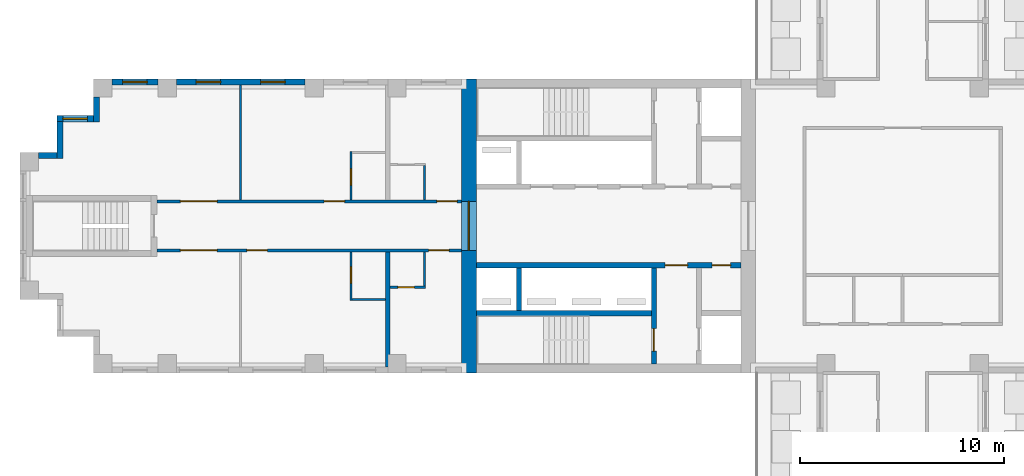
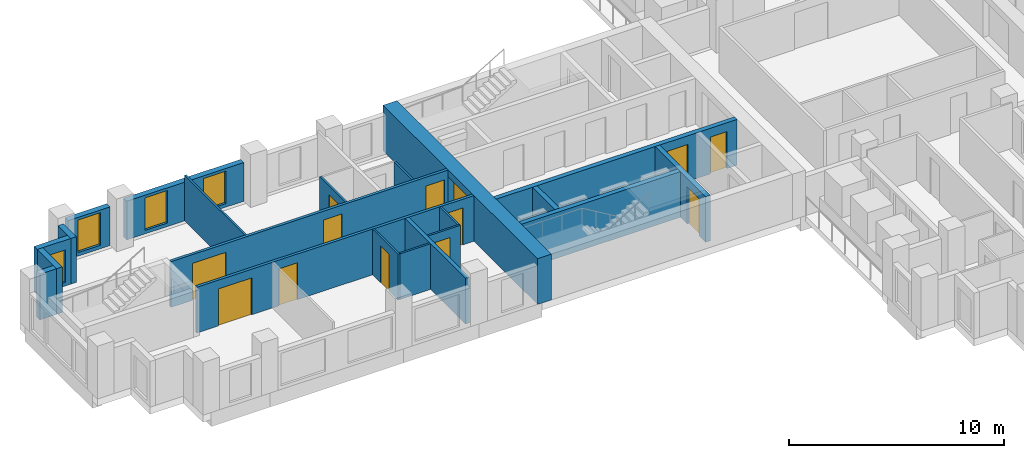
# One storey, part 3 of 11: 21 walls, 13 doors, 4 windows, 17 openings.
"""IFC4 building model written with IfcOpenShell, lengths in metres."""

from ifc_helpers import new_model, si_unit, direction, frame, frame_2d, origin, place, context, subcontext, project, spatial, rectangle, extrude, material, layer, layer_set, type_object, element, fill, save


model = new_model("IFC4")

# Units and contexts
model_context = context("Model", 3, precision=1e-05, world=origin(), true_north=direction((0.0, 1.0)))
body_context = subcontext(model_context, "Body", "Model", "MODEL_VIEW")
ifc_project = project(units=[si_unit("LENGTHUNIT", "METRE"), si_unit("AREAUNIT", "SQUARE_METRE"), si_unit("VOLUMEUNIT", "CUBIC_METRE"), si_unit("PLANEANGLEUNIT", "RADIAN"), si_unit("MASSUNIT", "GRAM", prefix="KILO")], contexts=[model_context])

# Site, building, storey
site_placement = place(None, origin())
site = spatial("IfcSite", under=ifc_project, at=site_placement, CompositionType="ELEMENT")
building_placement = place(site_placement, origin())
building = spatial("IfcBuilding", under=site, at=building_placement, Name="Fustian Cross Tower", CompositionType="ELEMENT")
storey_placement = place(building_placement, frame((0.0, 0.0, 120.300048828125)))
storey = spatial("IfcBuildingStorey", under=building, at=storey_placement, Name="L37", CompositionType="ELEMENT", Elevation=120.300048828125)

# Wall, openings, doors
ifc_material_1 = material(Name="Plasterboard on steel stud", Category="steel")
ifc_layer_1 = layer(ifc_material_1, 0.14990234375)
ifc_layer_set_1 = layer_set([ifc_layer_1], Name="Plasterboard on steel stud")
wall_type_1 = type_object("IfcWallType", Name="COMPARTMENT WALL 150 EI 60", PredefinedType="PARTITIONING", material=ifc_layer_set_1)
wall_1_placement = place(storey_placement, frame((-36.5, -1.199951171875, 0.0), z_axis=(0.0, 0.0, 1.0), x_axis=(1.0, 0.0, 0.0)))
wall_1 = element("IfcWall", 1, at=wall_1_placement, inside=storey, type_object=wall_type_1, Name="Partition 1", PredefinedType="PARTITIONING", context=body_context, shape_type="SweptSolid", body=[
    extrude(rectangle(XDim=14.89990234375, YDim=0.14990234375, at=frame_2d((7.449951171875, 0.0))), origin(), (0.0, 0.0, 1.0), 2.599853515625),
])
opening_1_placement = place(wall_1_placement, frame((13.300048828125, 0.0, 0.0)))
opening_1 = element("IfcOpeningElement", 2, at=opening_1_placement, cuts=wall_1, Name="Opening D18024", PredefinedType="OPENING", context=body_context, shape_type="SweptSolid", body=[
    extrude(rectangle(XDim=1.0, YDim=2.10009765625, at=frame_2d((0.5, 1.050048828125))), frame((0.0, 0.0849609375, 0.0), z_axis=(0.0, -1.0, 0.0), x_axis=(1.0, 0.0, 0.0)), (0.0, 0.0, 1.0), 0.169921875),
])
opening_2_placement = place(wall_1_placement, frame((4.409912109375, 0.0, 0.0)))
opening_2 = element("IfcOpeningElement", 3, at=opening_2_placement, cuts=wall_1, Name="Opening D18026", PredefinedType="OPENING", context=body_context, shape_type="SweptSolid", body=[
    extrude(rectangle(XDim=1.0, YDim=2.10009765625, at=frame_2d((0.5, 1.050048828125))), frame((0.0, 0.0849609375, 0.0), z_axis=(0.0, -1.0, 0.0), x_axis=(1.0, 0.0, 0.0)), (0.0, 0.0, 1.0), 0.169921875),
])
opening_3_placement = place(wall_1_placement, frame((1.14990234375, 0.0, 0.0)))
opening_3 = element("IfcOpeningElement", 4, at=opening_3_placement, cuts=wall_1, Name="Opening D18027", PredefinedType="OPENING", context=body_context, shape_type="SweptSolid", body=[
    extrude(rectangle(XDim=1.800048828125, YDim=2.10009765625, at=frame_2d((0.89990234375, 1.050048828125))), frame((0.0, 0.0849609375, 0.0), z_axis=(0.0, -1.0, 0.0), x_axis=(1.0, 0.0, 0.0)), (0.0, 0.0, 1.0), 0.169921875),
])
ifc_material_2 = material(Name="Timber fire door set", Category="wood")
door_type_1 = type_object("IfcDoorType", Name="FIRE DOUBLE DOOR 1800 FD30S", OperationType="DOUBLE_DOOR_DOUBLE_SWING", PredefinedType="DOOR", material=ifc_material_2)
door_1_placement = place(opening_3_placement, origin())
door_1 = element("IfcDoor", 5, at=door_1_placement, inside=storey, type_object=door_type_1, Name="Door D18027", OperationType="DOUBLE_DOOR_DOUBLE_SWING", OverallHeight=2.10009765625, OverallWidth=1.800048828125, PredefinedType="DOOR", context=body_context, shape_type="SweptSolid", body=[
    extrude(rectangle(XDim=1.800048828125, YDim=2.10009765625, at=frame_2d((0.89990234375, 1.050048828125))), frame((0.0, 0.02490234375, 0.0), z_axis=(0.0, -1.0, 0.0), x_axis=(1.0, 0.0, 0.0)), (0.0, 0.0, 1.0), 0.050048828125),
])
fill(opening_3, door_1)
ifc_material_3 = material(Name="Timber fire door set", Category="wood")
door_type_2 = type_object("IfcDoorType", Name="FIRE SWING DOOR 1000 FD30S", OperationType="SINGLE_SWING_LEFT", PredefinedType="DOOR", material=ifc_material_3)
door_2_placement = place(opening_1_placement, frame((1.0, 0.0, 0.0), z_axis=(0.0, 0.0, 1.0), x_axis=(-1.0, 0.0, 0.0)))
door_2 = element("IfcDoor", 6, at=door_2_placement, inside=storey, type_object=door_type_2, Name="Door D18024", OperationType="SINGLE_SWING_RIGHT", OverallHeight=2.10009765625, OverallWidth=1.0, PredefinedType="DOOR", context=body_context, shape_type="SweptSolid", body=[
    extrude(rectangle(XDim=1.0, YDim=2.10009765625, at=frame_2d((0.5, 1.050048828125))), frame((0.0, 0.02490234375, 0.0), z_axis=(0.0, -1.0, 0.0), x_axis=(1.0, 0.0, 0.0)), (0.0, 0.0, 1.0), 0.050048828125),
])
fill(opening_1, door_2)
door_3_placement = place(opening_2_placement, frame((1.0, 0.0, 0.0), z_axis=(0.0, 0.0, 1.0), x_axis=(-1.0, 0.0, 0.0)))
door_3 = element("IfcDoor", 7, at=door_3_placement, inside=storey, type_object=door_type_2, Name="Door D18026", OperationType="SINGLE_SWING_RIGHT", OverallHeight=2.10009765625, OverallWidth=1.0, PredefinedType="DOOR", context=body_context, shape_type="SweptSolid", body=[
    extrude(rectangle(XDim=1.0, YDim=2.10009765625, at=frame_2d((0.5, 1.050048828125))), frame((0.0, 0.02490234375, 0.0), z_axis=(0.0, -1.0, 0.0), x_axis=(1.0, 0.0, 0.0)), (0.0, 0.0, 1.0), 0.050048828125),
])
fill(opening_2, door_3)

wall_2_placement = place(storey_placement, frame((-36.5, 1.199951171875, 0.0), z_axis=(0.0, 0.0, 1.0), x_axis=(1.0, 0.0, 0.0)))
wall_2 = element("IfcWall", 8, at=wall_2_placement, inside=storey, type_object=wall_type_1, Name="Partition 2", PredefinedType="PARTITIONING", context=body_context, shape_type="SweptSolid", body=[
    extrude(rectangle(XDim=14.89990234375, YDim=0.14990234375, at=frame_2d((7.449951171875, 0.0))), origin(), (0.0, 0.0, 1.0), 2.599853515625),
])
opening_4_placement = place(wall_2_placement, frame((13.699951171875, 0.0, 0.0)))
opening_4 = element("IfcOpeningElement", 9, at=opening_4_placement, cuts=wall_2, Name="Opening D18029", PredefinedType="OPENING", context=body_context, shape_type="SweptSolid", body=[
    extrude(rectangle(XDim=1.0, YDim=2.10009765625, at=frame_2d((0.5, 1.050048828125))), frame((0.0, 0.0849609375, 0.0), z_axis=(0.0, -1.0, 0.0), x_axis=(1.0, 0.0, 0.0)), (0.0, 0.0, 1.0), 0.169921875),
])
opening_5_placement = place(wall_2_placement, frame((8.18994140625, 0.0, 0.0)))
opening_5 = element("IfcOpeningElement", 10, at=opening_5_placement, cuts=wall_2, Name="Opening D18031", PredefinedType="OPENING", context=body_context, shape_type="SweptSolid", body=[
    extrude(rectangle(XDim=1.0, YDim=2.10009765625, at=frame_2d((0.5, 1.050048828125))), frame((0.0, 0.0849609375, 0.0), z_axis=(0.0, -1.0, 0.0), x_axis=(1.0, 0.0, 0.0)), (0.0, 0.0, 1.0), 0.169921875),
])
opening_6_placement = place(wall_2_placement, frame((1.14990234375, 0.0, 0.0)))
opening_6 = element("IfcOpeningElement", 11, at=opening_6_placement, cuts=wall_2, Name="Opening D18032", PredefinedType="OPENING", context=body_context, shape_type="SweptSolid", body=[
    extrude(rectangle(XDim=1.800048828125, YDim=2.10009765625, at=frame_2d((0.89990234375, 1.050048828125))), frame((0.0, 0.0849609375, 0.0), z_axis=(0.0, -1.0, 0.0), x_axis=(1.0, 0.0, 0.0)), (0.0, 0.0, 1.0), 0.169921875),
])
door_4_placement = place(opening_6_placement, frame((1.800048828125, 0.0, 0.0), z_axis=(0.0, 0.0, 1.0), x_axis=(-1.0, 0.0, 0.0)))
door_4 = element("IfcDoor", 12, at=door_4_placement, inside=storey, type_object=door_type_1, Name="Door D18032", OperationType="DOUBLE_DOOR_DOUBLE_SWING", OverallHeight=2.10009765625, OverallWidth=1.800048828125, PredefinedType="DOOR", context=body_context, shape_type="SweptSolid", body=[
    extrude(rectangle(XDim=1.800048828125, YDim=2.10009765625, at=frame_2d((0.89990234375, 1.050048828125))), frame((0.0, 0.02490234375, 0.0), z_axis=(0.0, -1.0, 0.0), x_axis=(1.0, 0.0, 0.0)), (0.0, 0.0, 1.0), 0.050048828125),
])
fill(opening_6, door_4)
door_5_placement = place(opening_4_placement, origin())
door_5 = element("IfcDoor", 13, at=door_5_placement, inside=storey, type_object=door_type_2, Name="Door D18029", OperationType="SINGLE_SWING_RIGHT", OverallHeight=2.10009765625, OverallWidth=1.0, PredefinedType="DOOR", context=body_context, shape_type="SweptSolid", body=[
    extrude(rectangle(XDim=1.0, YDim=2.10009765625, at=frame_2d((0.5, 1.050048828125))), frame((0.0, 0.02490234375, 0.0), z_axis=(0.0, -1.0, 0.0), x_axis=(1.0, 0.0, 0.0)), (0.0, 0.0, 1.0), 0.050048828125),
])
fill(opening_4, door_5)
door_6_placement = place(opening_5_placement, origin())
door_6 = element("IfcDoor", 14, at=door_6_placement, inside=storey, type_object=door_type_2, Name="Door D18031", OperationType="SINGLE_SWING_RIGHT", OverallHeight=2.10009765625, OverallWidth=1.0, PredefinedType="DOOR", context=body_context, shape_type="SweptSolid", body=[
    extrude(rectangle(XDim=1.0, YDim=2.10009765625, at=frame_2d((0.5, 1.050048828125))), frame((0.0, 0.02490234375, 0.0), z_axis=(0.0, -1.0, 0.0), x_axis=(1.0, 0.0, 0.0)), (0.0, 0.0, 1.0), 0.050048828125),
])
fill(opening_5, door_6)

# Wall, opening, door
ifc_material_4 = material(Name="Concrete C60/75", Category="concrete")
ifc_layer_2 = layer(ifc_material_4, 0.75)
ifc_layer_set_2 = layer_set([ifc_layer_2], Name="Concrete C60/75")
wall_type_2 = type_object("IfcWallType", Name="CORE END WALL 750 C60/75", PredefinedType="SHEAR", material=ifc_layer_set_2)
wall_3_placement = place(storey_placement, frame((-21.22509765625, -7.199951171875, 0.0), z_axis=(0.0, 0.0, 1.0), x_axis=(0.0, 1.0, 0.0)))
wall_3 = element("IfcWall", 15, at=wall_3_placement, inside=storey, type_object=wall_type_2, Name="Core end wall", PredefinedType="SHEAR", context=body_context, shape_type="SweptSolid", body=[
    extrude(rectangle(XDim=14.39990234375, YDim=0.75, at=frame_2d((7.199951171875, 0.0))), origin(), (0.0, 0.0, 1.0), 2.599853515625),
])
opening_7_placement = place(wall_3_placement, frame((6.0, 0.0, 0.0)))
opening_7 = element("IfcOpeningElement", 16, at=opening_7_placement, cuts=wall_3, Name="Opening CD-15-26", PredefinedType="OPENING", context=body_context, shape_type="SweptSolid", body=[
    extrude(rectangle(XDim=2.39990234375, YDim=2.199951171875, at=frame_2d((1.199951171875, 1.10009765625))), frame((0.0, 0.385009765625, 0.0), z_axis=(0.0, -1.0, 0.0), x_axis=(1.0, 0.0, 0.0)), (0.0, 0.0, 1.0), 0.77001953125),
])
ifc_material_5 = material(Name="Steel", Category="steel")
door_type_3 = type_object("IfcDoorType", Name="FIRE DOOR FD30S DOUBLE 2400X2200", OperationType="DOUBLE_DOOR_DOUBLE_SWING", PredefinedType="DOOR", material=ifc_material_5)
door_7_placement = place(opening_7_placement, frame((2.39990234375, 0.0, 0.0), z_axis=(0.0, 0.0, 1.0), x_axis=(-1.0, 0.0, 0.0)))
door_7 = element("IfcDoor", 17, at=door_7_placement, inside=storey, type_object=door_type_3, Name="Core door CD-15-26", OperationType="DOUBLE_DOOR_DOUBLE_SWING", OverallHeight=2.199951171875, OverallWidth=2.39990234375, PredefinedType="DOOR", context=body_context, shape_type="SweptSolid", body=[
    extrude(rectangle(XDim=2.39990234375, YDim=2.199951171875, at=frame_2d((1.199951171875, 1.10009765625))), frame((0.0, 0.02490234375, 0.0), z_axis=(0.0, -1.0, 0.0), x_axis=(1.0, 0.0, 0.0)), (0.0, 0.0, 1.0), 0.050048828125),
])
fill(opening_7, door_7)

# Wall, openings, doors
ifc_material_6 = material(Name="Concrete C50/60", Category="concrete")
ifc_layer_3 = layer(ifc_material_6, 0.25)
ifc_layer_set_3 = layer_set([ifc_layer_3], Name="Concrete C50/60")
wall_type_3 = type_object("IfcWallType", Name="CORE LOBBY WALL 250 C50/60", PredefinedType="SHEAR", material=ifc_layer_set_3)
wall_4_placement = place(storey_placement, frame((-7.89990234375, -1.925048828125, 0.0), z_axis=(0.0, 0.0, 1.0), x_axis=(-1.0, 0.0, 0.0)))
wall_4 = element("IfcWall", 18, at=wall_4_placement, inside=storey, type_object=wall_type_3, Name="Core lobby wall", PredefinedType="SHEAR", context=body_context, shape_type="SweptSolid", body=[
    extrude(rectangle(XDim=12.9501953125, YDim=0.25, at=frame_2d((6.47509765625, 0.0))), origin(), (0.0, 0.0, 1.0), 2.599853515625),
])
opening_8_placement = place(wall_4_placement, frame((0.52490234375, 0.0, 0.0)))
opening_8 = element("IfcOpeningElement", 19, at=opening_8_placement, cuts=wall_4, Name="Opening CD-15-22", PredefinedType="OPENING", context=body_context, shape_type="SweptSolid", body=[
    extrude(rectangle(XDim=0.89990234375, YDim=2.10009765625, at=frame_2d((0.449951171875, 1.050048828125))), frame((0.0, 0.135009765625, 0.0), z_axis=(0.0, -1.0, 0.0), x_axis=(1.0, 0.0, 0.0)), (0.0, 0.0, 1.0), 0.27001953125),
])
opening_9_placement = place(wall_4_placement, frame((2.625, 0.0, 0.0)))
opening_9 = element("IfcOpeningElement", 20, at=opening_9_placement, cuts=wall_4, Name="Opening CD-15-24", PredefinedType="OPENING", context=body_context, shape_type="SweptSolid", body=[
    extrude(rectangle(XDim=1.10009765625, YDim=2.10009765625, at=frame_2d((0.550048828125, 1.050048828125))), frame((0.0, 0.135009765625, 0.0), z_axis=(0.0, -1.0, 0.0), x_axis=(1.0, 0.0, 0.0)), (0.0, 0.0, 1.0), 0.27001953125),
])
ifc_material_7 = material(Name="Steel", Category="steel")
door_type_4 = type_object("IfcDoorType", Name="FIRE DOOR FD30S 1100X2100", OperationType="SINGLE_SWING_LEFT", PredefinedType="DOOR", material=ifc_material_7)
door_8_placement = place(opening_9_placement, frame((1.10009765625, 0.0, 0.0), z_axis=(0.0, 0.0, 1.0), x_axis=(-1.0, 0.0, 0.0)))
door_8 = element("IfcDoor", 21, at=door_8_placement, inside=storey, type_object=door_type_4, Name="Core door CD-15-24", OperationType="SINGLE_SWING_RIGHT", OverallHeight=2.10009765625, OverallWidth=1.10009765625, PredefinedType="DOOR", context=body_context, shape_type="SweptSolid", body=[
    extrude(rectangle(XDim=1.10009765625, YDim=2.10009765625, at=frame_2d((0.550048828125, 1.050048828125))), frame((0.0, 0.02490234375, 0.0), z_axis=(0.0, -1.0, 0.0), x_axis=(1.0, 0.0, 0.0)), (0.0, 0.0, 1.0), 0.050048828125),
])
fill(opening_9, door_8)
ifc_material_8 = material(Name="Steel", Category="steel")
door_type_5 = type_object("IfcDoorType", Name="FIRE DOOR FD30S 900X2100", OperationType="SINGLE_SWING_LEFT", PredefinedType="DOOR", material=ifc_material_8)
door_9_placement = place(opening_8_placement, origin())
door_9 = element("IfcDoor", 22, at=door_9_placement, inside=storey, type_object=door_type_5, Name="Core door CD-15-22", OperationType="SINGLE_SWING_LEFT", OverallHeight=2.10009765625, OverallWidth=0.89990234375, PredefinedType="DOOR", context=body_context, shape_type="SweptSolid", body=[
    extrude(rectangle(XDim=0.89990234375, YDim=2.10009765625, at=frame_2d((0.449951171875, 1.050048828125))), frame((0.0, 0.02490234375, 0.0), z_axis=(0.0, -1.0, 0.0), x_axis=(1.0, 0.0, 0.0)), (0.0, 0.0, 1.0), 0.050048828125),
])
fill(opening_8, door_9)

# Wall
ifc_material_9 = material(Name="Concrete C50/60", Category="concrete")
ifc_layer_4 = layer(ifc_material_9, 0.25)
ifc_layer_set_4 = layer_set([ifc_layer_4], Name="Concrete C50/60")
wall_type_4 = type_object("IfcWallType", Name="CORE SHAFT WALL 250 C50/60", PredefinedType="SHEAR", material=ifc_layer_set_4)
wall_5_placement = place(storey_placement, frame((-12.300048828125, -4.27490234375, 0.0), z_axis=(0.0, 0.0, 1.0), x_axis=(-1.0, 0.0, 0.0)))
element("IfcWall", 23, at=wall_5_placement, inside=storey, type_object=wall_type_4, Name="Core shaft wall", PredefinedType="SHEAR", context=body_context, shape_type="SweptSolid", body=[
    extrude(rectangle(XDim=8.550048828125, YDim=0.25, at=frame_2d((4.27490234375, 0.0))), origin(), (0.0, 0.0, 1.0), 2.599853515625),
])

# Wall, opening, door
wall_6_placement = place(storey_placement, frame((-12.175048828125, -2.050048828125, 0.0), z_axis=(0.0, 0.0, 1.0), x_axis=(0.0, -1.0, 0.0)))
wall_6 = element("IfcWall", 24, at=wall_6_placement, inside=storey, type_object=wall_type_4, Name="Core shaft wall", PredefinedType="SHEAR", context=body_context, shape_type="SweptSolid", body=[
    extrude(rectangle(XDim=4.699951171875, YDim=0.25, at=frame_2d((2.35009765625, 0.0))), origin(), (0.0, 0.0, 1.0), 2.599853515625),
])
opening_10_placement = place(wall_6_placement, frame((2.97509765625, 0.0, 0.0)))
opening_10 = element("IfcOpeningElement", 25, at=opening_10_placement, cuts=wall_6, Name="Opening CD-15-20", PredefinedType="OPENING", context=body_context, shape_type="SweptSolid", body=[
    extrude(rectangle(XDim=1.10009765625, YDim=2.10009765625, at=frame_2d((0.550048828125, 1.050048828125))), frame((0.0, 0.135009765625, 0.0), z_axis=(0.0, -1.0, 0.0), x_axis=(1.0, 0.0, 0.0)), (0.0, 0.0, 1.0), 0.27001953125),
])
ifc_material_10 = material(Name="Steel", Category="steel")
door_type_6 = type_object("IfcDoorType", Name="FIRE DOOR FD60S 1100X2100", OperationType="SINGLE_SWING_LEFT", PredefinedType="DOOR", material=ifc_material_10)
door_10_placement = place(opening_10_placement, frame((1.10009765625, 0.0, 0.0), z_axis=(0.0, 0.0, 1.0), x_axis=(-1.0, 0.0, 0.0)))
door_10 = element("IfcDoor", 26, at=door_10_placement, inside=storey, type_object=door_type_6, Name="Core door CD-15-20", OperationType="SINGLE_SWING_RIGHT", OverallHeight=2.10009765625, OverallWidth=1.10009765625, PredefinedType="DOOR", context=body_context, shape_type="SweptSolid", body=[
    extrude(rectangle(XDim=1.10009765625, YDim=2.10009765625, at=frame_2d((0.550048828125, 1.050048828125))), frame((0.0, 0.02490234375, 0.0), z_axis=(0.0, -1.0, 0.0), x_axis=(1.0, 0.0, 0.0)), (0.0, 0.0, 1.0), 0.050048828125),
])
fill(opening_10, door_10)

# Wall
ifc_material_11 = material(Name="Plasterboard on steel stud", Category="steel")
ifc_layer_5 = layer(ifc_material_11, 0.10009765625)
ifc_layer_set_5 = layer_set([ifc_layer_5], Name="Plasterboard on steel stud")
wall_type_5 = type_object("IfcWallType", Name="PARTITION 100 STUD", PredefinedType="PARTITIONING", material=ifc_layer_set_5)
wall_7_placement = place(storey_placement, frame((-32.39990234375, 1.27490234375, 0.0), z_axis=(0.0, 0.0, 1.0), x_axis=(0.0, 1.0, 0.0)))
element("IfcWall", 27, at=wall_7_placement, inside=storey, type_object=wall_type_5, Name="Partition 4", PredefinedType="PARTITIONING", context=body_context, shape_type="SweptSolid", body=[
    extrude(rectangle(XDim=5.625, YDim=0.10009765625, at=frame_2d((2.8125, 0.0))), origin(), (0.0, 0.0, 1.0), 2.599853515625),
])

# Wall, opening, door
wall_8_placement = place(storey_placement, frame((-27.0, -3.64990234375, 0.0), z_axis=(0.0, 0.0, 1.0), x_axis=(0.0, 1.0, 0.0)))
wall_8 = element("IfcWall", 28, at=wall_8_placement, inside=storey, type_object=wall_type_5, Name="Partition 5", PredefinedType="PARTITIONING", context=body_context, shape_type="SweptSolid", body=[
    extrude(rectangle(XDim=2.375, YDim=0.10009765625, at=frame_2d((1.1875, 0.0))), origin(), (0.0, 0.0, 1.0), 2.599853515625),
])
opening_11_placement = place(wall_8_placement, frame((0.85009765625, 0.0, 0.0)))
opening_11 = element("IfcOpeningElement", 29, at=opening_11_placement, cuts=wall_8, Name="Opening D18025", PredefinedType="OPENING", context=body_context, shape_type="SweptSolid", body=[
    extrude(rectangle(XDim=0.800048828125, YDim=2.10009765625, at=frame_2d((0.39990234375, 1.050048828125))), frame((0.0, 0.06005859375, 0.0), z_axis=(0.0, -1.0, 0.0), x_axis=(1.0, 0.0, 0.0)), (0.0, 0.0, 1.0), 0.1201171875),
])
ifc_material_12 = material(Name="Painted timber", Category="wood")
door_type_7 = type_object("IfcDoorType", Name="SWING DOOR 800", OperationType="SINGLE_SWING_LEFT", PredefinedType="DOOR", material=ifc_material_12)
door_11_placement = place(opening_11_placement, frame((0.800048828125, 0.0, 0.0), z_axis=(0.0, 0.0, 1.0), x_axis=(-1.0, 0.0, 0.0)))
door_11 = element("IfcDoor", 30, at=door_11_placement, inside=storey, type_object=door_type_7, Name="Door D18025", OperationType="SINGLE_SWING_RIGHT", OverallHeight=2.10009765625, OverallWidth=0.800048828125, PredefinedType="DOOR", context=body_context, shape_type="SweptSolid", body=[
    extrude(rectangle(XDim=0.800048828125, YDim=2.10009765625, at=frame_2d((0.39990234375, 1.050048828125))), frame((0.0, 0.02490234375, 0.0), z_axis=(0.0, -1.0, 0.0), x_axis=(1.0, 0.0, 0.0)), (0.0, 0.0, 1.0), 0.050048828125),
])
fill(opening_11, door_11)

# Wall
wall_9_placement = place(storey_placement, frame((-26.949951171875, -3.60009765625, 0.0), z_axis=(0.0, 0.0, 1.0), x_axis=(1.0, 0.0, 0.0)))
element("IfcWall", 31, at=wall_9_placement, inside=storey, type_object=wall_type_5, Name="Partition 6", PredefinedType="PARTITIONING", context=body_context, shape_type="SweptSolid", body=[
    extrude(rectangle(XDim=1.64990234375, YDim=0.10009765625, at=frame_2d((0.824951171875, 0.0))), origin(), (0.0, 0.0, 1.0), 2.599853515625),
])

# Wall, opening, door
wall_10_placement = place(storey_placement, frame((-27.0, 1.27490234375, 0.0), z_axis=(0.0, 0.0, 1.0), x_axis=(0.0, 1.0, 0.0)))
wall_10 = element("IfcWall", 32, at=wall_10_placement, inside=storey, type_object=wall_type_5, Name="Partition 7", PredefinedType="PARTITIONING", context=body_context, shape_type="SweptSolid", body=[
    extrude(rectangle(XDim=2.375, YDim=0.10009765625, at=frame_2d((1.1875, 0.0))), origin(), (0.0, 0.0, 1.0), 2.599853515625),
])
opening_12_placement = place(wall_10_placement, frame((0.72509765625, 0.0, 0.0)))
opening_12 = element("IfcOpeningElement", 33, at=opening_12_placement, cuts=wall_10, Name="Opening D18030", PredefinedType="OPENING", context=body_context, shape_type="SweptSolid", body=[
    extrude(rectangle(XDim=0.800048828125, YDim=2.10009765625, at=frame_2d((0.39990234375, 1.050048828125))), frame((0.0, 0.06005859375, 0.0), z_axis=(0.0, -1.0, 0.0), x_axis=(1.0, 0.0, 0.0)), (0.0, 0.0, 1.0), 0.1201171875),
])
door_12_placement = place(opening_12_placement, frame((0.800048828125, 0.0, 0.0), z_axis=(0.0, 0.0, 1.0), x_axis=(-1.0, 0.0, 0.0)))
door_12 = element("IfcDoor", 34, at=door_12_placement, inside=storey, type_object=door_type_7, Name="Door D18030", OperationType="SINGLE_SWING_RIGHT", OverallHeight=2.10009765625, OverallWidth=0.800048828125, PredefinedType="DOOR", context=body_context, shape_type="SweptSolid", body=[
    extrude(rectangle(XDim=0.800048828125, YDim=2.10009765625, at=frame_2d((0.39990234375, 1.050048828125))), frame((0.0, 0.02490234375, 0.0), z_axis=(0.0, -1.0, 0.0), x_axis=(1.0, 0.0, 0.0)), (0.0, 0.0, 1.0), 0.050048828125),
])
fill(opening_12, door_12)

wall_11_placement = place(storey_placement, frame((-25.10009765625, -3.0, 0.0), z_axis=(0.0, 0.0, 1.0), x_axis=(1.0, 0.0, 0.0)))
wall_11 = element("IfcWall", 35, at=wall_11_placement, inside=storey, type_object=wall_type_5, Name="Partition 10", PredefinedType="PARTITIONING", context=body_context, shape_type="SweptSolid", body=[
    extrude(rectangle(XDim=1.75, YDim=0.10009765625, at=frame_2d((0.875, 0.0))), origin(), (0.0, 0.0, 1.0), 2.599853515625),
])
opening_13_placement = place(wall_11_placement, frame((0.39990234375, 0.0, 0.0)))
opening_13 = element("IfcOpeningElement", 36, at=opening_13_placement, cuts=wall_11, Name="Opening D18023", PredefinedType="OPENING", context=body_context, shape_type="SweptSolid", body=[
    extrude(rectangle(XDim=0.800048828125, YDim=2.10009765625, at=frame_2d((0.39990234375, 1.050048828125))), frame((0.0, 0.06005859375, 0.0), z_axis=(0.0, -1.0, 0.0), x_axis=(1.0, 0.0, 0.0)), (0.0, 0.0, 1.0), 0.1201171875),
])
door_13_placement = place(opening_13_placement, origin())
door_13 = element("IfcDoor", 37, at=door_13_placement, inside=storey, type_object=door_type_7, Name="Door D18023", OperationType="SINGLE_SWING_RIGHT", OverallHeight=2.10009765625, OverallWidth=0.800048828125, PredefinedType="DOOR", context=body_context, shape_type="SweptSolid", body=[
    extrude(rectangle(XDim=0.800048828125, YDim=2.10009765625, at=frame_2d((0.39990234375, 1.050048828125))), frame((0.0, 0.02490234375, 0.0), z_axis=(0.0, -1.0, 0.0), x_axis=(1.0, 0.0, 0.0)), (0.0, 0.0, 1.0), 0.050048828125),
])
fill(opening_13, door_13)

# Walls
for number, where, z_axis, x_axis, name in (
    (38, (-23.39990234375, -2.949951171875, 0.0), (0.0, 0.0, 1.0), (0.0, 1.0, 0.0), "Partition 13"),
    (39, (-23.39990234375, 1.27490234375, 0.0), (0.0, 0.0, 1.0), (0.0, 1.0, 0.0), "Partition 14"),
):
    element("IfcWall", number, at=place(storey_placement, frame(where, z_axis=z_axis, x_axis=x_axis)), inside=storey, type_object=wall_type_5, Name=name, PredefinedType="PARTITIONING", context=body_context, shape_type="SweptSolid", body=[
        extrude(rectangle(XDim=1.675048828125, YDim=0.10009765625, at=frame_2d((0.83740234375, 0.0))), origin(), (0.0, 0.0, 1.0), 2.599853515625),
    ])
ifc_material_13 = material(Name="Plasterboard on steel stud", Category="steel")
ifc_layer_6 = layer(ifc_material_13, 0.199951171875)
ifc_layer_set_6 = layer_set([ifc_layer_6], Name="Plasterboard on steel stud")
wall_type_6 = type_object("IfcWallType", Name="PARTY WALL 200 EI 60", PredefinedType="PARTITIONING", material=ifc_layer_set_6)
wall_12_placement = place(storey_placement, frame((-25.199951171875, -6.89990234375, 0.0), z_axis=(0.0, 0.0, 1.0), x_axis=(0.0, 1.0, 0.0)))
element("IfcWall", 40, at=wall_12_placement, inside=storey, type_object=wall_type_6, Name="Partition 9", PredefinedType="PARTITIONING", context=body_context, shape_type="SweptSolid", body=[
    extrude(rectangle(XDim=5.625, YDim=0.199951171875, at=frame_2d((2.8125, 0.0))), origin(), (0.0, 0.0, 1.0), 2.599853515625),
])
ifc_material_14 = material(Name="Concrete C40/50", Category="concrete")
ifc_layer_7 = layer(ifc_material_14, 0.25)
ifc_layer_set_7 = layer_set([ifc_layer_7], Name="Concrete C40/50")
wall_type_7 = type_object("IfcWallType", Name="SHAFT PARTITION WALL 250 C40/50", PredefinedType="PARTITIONING", material=ifc_layer_set_7)
wall_13_placement = place(storey_placement, frame((-18.77490234375, -2.050048828125, 0.0), z_axis=(0.0, 0.0, 1.0), x_axis=(0.0, -1.0, 0.0)))
element("IfcWall", 41, at=wall_13_placement, inside=storey, type_object=wall_type_7, Name="Core shaft wall", PredefinedType="PARTITIONING", context=body_context, shape_type="SweptSolid", body=[
    extrude(rectangle(XDim=2.099853515625, YDim=0.25, at=frame_2d((1.0498046875, 0.0))), origin(), (0.0, 0.0, 1.0), 2.599853515625),
])

# Wall, openings, windows
ifc_material_15 = material(Name="Dark aluminium cladding on insulated backing wall", Category="aluminium")
ifc_layer_8 = layer(ifc_material_15, 0.300048828125)
ifc_layer_set_8 = layer_set([ifc_layer_8], Name="Dark aluminium cladding on insulated backing wall")
wall_type_8 = type_object("IfcWallType", Name="XW1 EXTERNAL WALL 300", PredefinedType="SOLIDWALL", material=ifc_layer_set_8)
wall_14_placement = place(storey_placement, frame((-29.25, 7.050048828125, 0.0), z_axis=(0.0, 0.0, 1.0), x_axis=(-1.0, 0.0, 0.0)))
wall_14 = element("IfcWall", 42, at=wall_14_placement, inside=storey, type_object=wall_type_8, Name="External wall", PredefinedType="SOLIDWALL", context=body_context, shape_type="SweptSolid", body=[
    extrude(rectangle(XDim=6.300048828125, YDim=0.300048828125, at=frame_2d((3.14990234375, 0.0))), origin(), (0.0, 0.0, 1.0), 2.199951171875),
])
opening_14_placement = place(wall_14_placement, frame((0.97509765625, 0.0, 0.199951171875)))
opening_14 = element("IfcOpeningElement", 43, at=opening_14_placement, cuts=wall_14, Name="Opening WN3", PredefinedType="OPENING", context=body_context, shape_type="SweptSolid", body=[
    extrude(rectangle(XDim=1.199951171875, YDim=1.85009765625, at=frame_2d((0.60009765625, 0.925048828125))), frame((0.0, 0.159912109375, 0.0), z_axis=(0.0, -1.0, 0.0), x_axis=(1.0, 0.0, 0.0)), (0.0, 0.0, 1.0), 0.320068359375),
])
opening_15_placement = place(wall_14_placement, frame((4.125, 0.0, 0.199951171875)))
opening_15 = element("IfcOpeningElement", 44, at=opening_15_placement, cuts=wall_14, Name="Opening WN3", PredefinedType="OPENING", context=body_context, shape_type="SweptSolid", body=[
    extrude(rectangle(XDim=1.199951171875, YDim=1.85009765625, at=frame_2d((0.60009765625, 0.925048828125))), frame((0.0, 0.159912109375, 0.0), z_axis=(0.0, -1.0, 0.0), x_axis=(1.0, 0.0, 0.0)), (0.0, 0.0, 1.0), 0.320068359375),
])
ifc_material_16 = material(Name="Dark anodised aluminium and double glazing", Category="aluminium")
window_type = type_object("IfcWindowType", Name="WN3 WINDOW 1200X1850", PartitioningType="SINGLE_PANEL", PredefinedType="WINDOW", material=ifc_material_16)
window_1_placement = place(opening_14_placement, origin())
window_1 = element("IfcWindow", 45, at=window_1_placement, inside=storey, type_object=window_type, Name="Window", OverallHeight=1.85009765625, OverallWidth=1.199951171875, PartitioningType="SINGLE_PANEL", PredefinedType="WINDOW", context=body_context, shape_type="SweptSolid", body=[
    extrude(rectangle(XDim=1.199951171875, YDim=1.85009765625, at=frame_2d((0.60009765625, 0.925048828125))), frame((0.0, 0.030029296875, 0.0), z_axis=(0.0, -1.0, 0.0), x_axis=(1.0, 0.0, 0.0)), (0.0, 0.0, 1.0), 0.06005859375),
])
fill(opening_14, window_1)
window_2_placement = place(opening_15_placement, origin())
window_2 = element("IfcWindow", 46, at=window_2_placement, inside=storey, type_object=window_type, Name="Window", OverallHeight=1.85009765625, OverallWidth=1.199951171875, PartitioningType="SINGLE_PANEL", PredefinedType="WINDOW", context=body_context, shape_type="SweptSolid", body=[
    extrude(rectangle(XDim=1.199951171875, YDim=1.85009765625, at=frame_2d((0.60009765625, 0.925048828125))), frame((0.0, 0.030029296875, 0.0), z_axis=(0.0, -1.0, 0.0), x_axis=(1.0, 0.0, 0.0)), (0.0, 0.0, 1.0), 0.06005859375),
])
fill(opening_15, window_2)

# Wall, opening, window
wall_15_placement = place(storey_placement, frame((-36.449951171875, 7.050048828125, 0.0), z_axis=(0.0, 0.0, 1.0), x_axis=(-1.0, 0.0, 0.0)))
wall_15 = element("IfcWall", 47, at=wall_15_placement, inside=storey, type_object=wall_type_8, Name="External wall", PredefinedType="SOLIDWALL", context=body_context, shape_type="SweptSolid", body=[
    extrude(rectangle(XDim=2.25, YDim=0.300048828125, at=frame_2d((1.125, 0.0))), origin(), (0.0, 0.0, 1.0), 2.199951171875),
])
opening_16_placement = place(wall_15_placement, frame((0.52490234375, 0.0, 0.199951171875)))
opening_16 = element("IfcOpeningElement", 48, at=opening_16_placement, cuts=wall_15, Name="Opening WN3", PredefinedType="OPENING", context=body_context, shape_type="SweptSolid", body=[
    extrude(rectangle(XDim=1.199951171875, YDim=1.85009765625, at=frame_2d((0.60009765625, 0.925048828125))), frame((0.0, 0.159912109375, 0.0), z_axis=(0.0, -1.0, 0.0), x_axis=(1.0, 0.0, 0.0)), (0.0, 0.0, 1.0), 0.320068359375),
])
window_3_placement = place(opening_16_placement, origin())
window_3 = element("IfcWindow", 49, at=window_3_placement, inside=storey, type_object=window_type, Name="Window", OverallHeight=1.85009765625, OverallWidth=1.199951171875, PartitioningType="SINGLE_PANEL", PredefinedType="WINDOW", context=body_context, shape_type="SweptSolid", body=[
    extrude(rectangle(XDim=1.199951171875, YDim=1.85009765625, at=frame_2d((0.60009765625, 0.925048828125))), frame((0.0, 0.030029296875, 0.0), z_axis=(0.0, -1.0, 0.0), x_axis=(1.0, 0.0, 0.0)), (0.0, 0.0, 1.0), 0.06005859375),
])
fill(opening_16, window_3)

# Wall
wall_16_placement = place(storey_placement, frame((-39.449951171875, 6.300048828125, 0.0), z_axis=(0.0, 0.0, 1.0), x_axis=(0.0, -1.0, 0.0)))
element("IfcWall", 50, at=wall_16_placement, inside=storey, type_object=wall_type_8, Name="External wall", PredefinedType="SOLIDWALL", context=body_context, shape_type="SweptSolid", body=[
    extrude(rectangle(XDim=1.199951171875, YDim=0.300048828125, at=frame_2d((0.60009765625, 0.0))), origin(), (0.0, 0.0, 1.0), 2.599853515625),
])

# Wall, opening, window
wall_17_placement = place(storey_placement, frame((-39.60009765625, 5.25, 0.0), z_axis=(0.0, 0.0, 1.0), x_axis=(-1.0, 0.0, 0.0)))
wall_17 = element("IfcWall", 51, at=wall_17_placement, inside=storey, type_object=wall_type_8, Name="External wall", PredefinedType="SOLIDWALL", context=body_context, shape_type="SweptSolid", body=[
    extrude(rectangle(XDim=1.7998046875, YDim=0.300048828125, at=frame_2d((0.89990234375, 0.0))), origin(), (0.0, 0.0, 1.0), 2.599853515625),
])
opening_17_placement = place(wall_17_placement, frame((0.300048828125, 0.0, 0.199951171875)))
opening_17 = element("IfcOpeningElement", 52, at=opening_17_placement, cuts=wall_17, Name="Opening WN3", PredefinedType="OPENING", context=body_context, shape_type="SweptSolid", body=[
    extrude(rectangle(XDim=1.199951171875, YDim=1.85009765625, at=frame_2d((0.60009765625, 0.925048828125))), frame((0.0, 0.159912109375, 0.0), z_axis=(0.0, -1.0, 0.0), x_axis=(1.0, 0.0, 0.0)), (0.0, 0.0, 1.0), 0.320068359375),
])
window_4_placement = place(opening_17_placement, origin())
window_4 = element("IfcWindow", 53, at=window_4_placement, inside=storey, type_object=window_type, Name="Window", OverallHeight=1.85009765625, OverallWidth=1.199951171875, PartitioningType="SINGLE_PANEL", PredefinedType="WINDOW", context=body_context, shape_type="SweptSolid", body=[
    extrude(rectangle(XDim=1.199951171875, YDim=1.85009765625, at=frame_2d((0.60009765625, 0.925048828125))), frame((0.0, 0.030029296875, 0.0), z_axis=(0.0, -1.0, 0.0), x_axis=(1.0, 0.0, 0.0)), (0.0, 0.0, 1.0), 0.06005859375),
])
fill(opening_17, window_4)

# Walls
wall_18_placement = place(storey_placement, frame((-41.25, 5.10009765625, 0.0), z_axis=(0.0, 0.0, 1.0), x_axis=(0.0, -1.0, 0.0)))
element("IfcWall", 54, at=wall_18_placement, inside=storey, type_object=wall_type_8, Name="External wall", PredefinedType="SOLIDWALL", context=body_context, shape_type="SweptSolid", body=[
    extrude(rectangle(XDim=1.800048828125, YDim=0.300048828125, at=frame_2d((0.89990234375, 0.0))), origin(), (0.0, 0.0, 1.0), 2.599853515625),
])
wall_19_placement = place(storey_placement, frame((-41.39990234375, 3.449951171875, 0.0), z_axis=(0.0, 0.0, 1.0), x_axis=(-1.0, 0.0, 0.0)))
element("IfcWall", 55, at=wall_19_placement, inside=storey, type_object=wall_type_8, Name="External wall", PredefinedType="SOLIDWALL", context=body_context, shape_type="SweptSolid", body=[
    extrude(rectangle(XDim=0.900146484375, YDim=0.300048828125, at=frame_2d((0.4501953125, 0.0))), origin(), (0.0, 0.0, 1.0), 2.599853515625),
])

save(model, "model.ifc")
